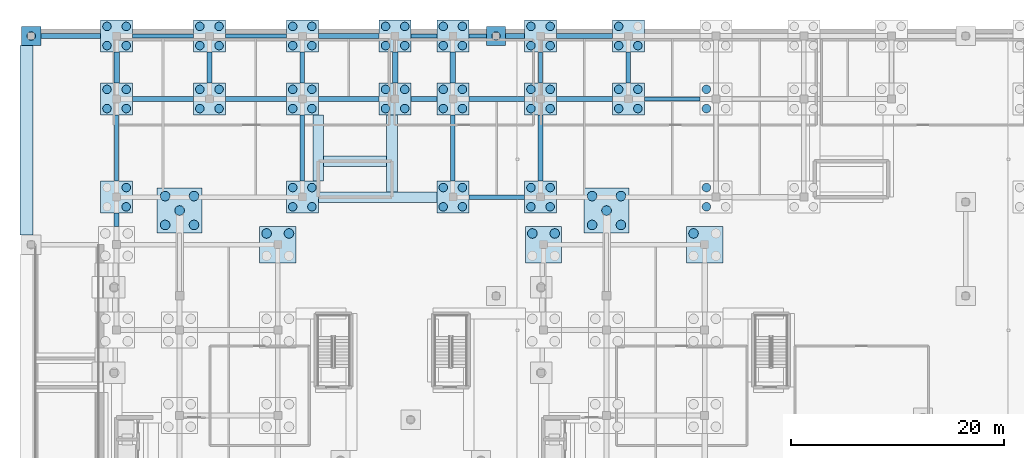
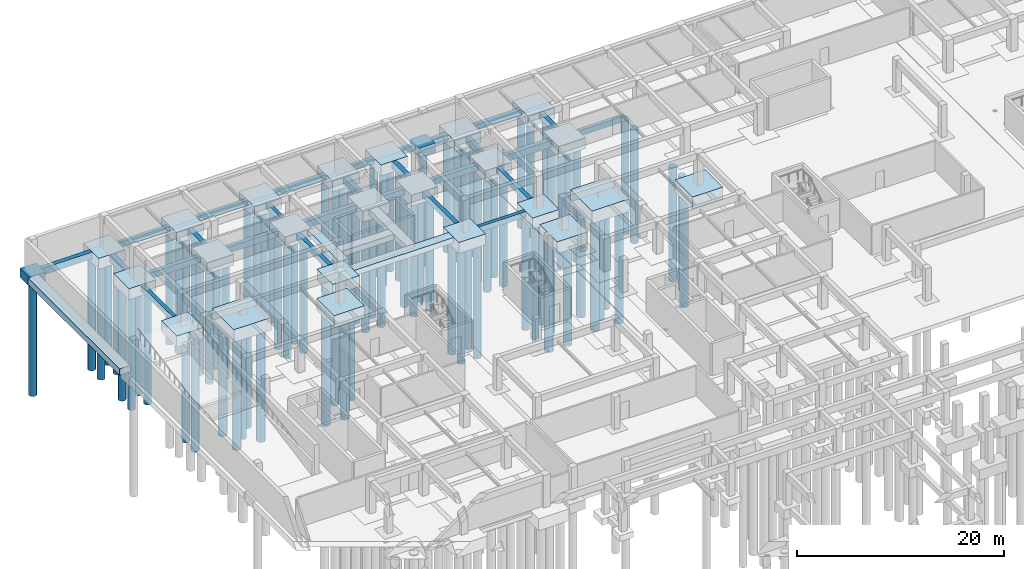
# One storey, part 6 of 35: 90 piles, 58 footings.
"""IFC4 building model written with IfcOpenShell, lengths in metres."""

from ifc_helpers import new_model, si_unit, direction, frame, origin, origin_2d, place, context, subcontext, project, spatial, rectangle, circle, extrude, material, material_profile, profile_set, type_object, element, save


model = new_model("IFC4")

# Units and contexts
model_context = context("Model", 3, precision=1e-05, world=origin(), true_north=direction((0.0, 1.0)))
body_context = subcontext(model_context, "Body", "Model", "MODEL_VIEW")
ifc_project = project(units=[si_unit("LENGTHUNIT", "METRE"), si_unit("AREAUNIT", "SQUARE_METRE"), si_unit("VOLUMEUNIT", "CUBIC_METRE"), si_unit("PLANEANGLEUNIT", "RADIAN"), si_unit("MASSUNIT", "GRAM", prefix="KILO")], contexts=[model_context])

# Site, building, storey
site_placement = place(None, origin())
site = spatial("IfcSite", under=ifc_project, at=site_placement, CompositionType="ELEMENT")
building_placement = place(site_placement, origin())
building = spatial("IfcBuilding", under=site, at=building_placement, Name="Keldmere Railside Commons", CompositionType="ELEMENT")
storey_placement = place(building_placement, frame((0.0, 0.0, -3.840087890625)))
storey = spatial("IfcBuildingStorey", under=building, at=storey_placement, Name="B1", CompositionType="ELEMENT", Elevation=-3.840087890625)

# Piles
ifc_material_1 = material(Name="Concrete H-30 (C30/37)", Category="concrete")
ifc_material_profile_1 = material_profile(ifc_material_1, circle(Radius=0.39990234375, at=origin_2d()), Name="PILE-D800")
ifc_profile_set_1 = profile_set([ifc_material_profile_1], Name="Concrete H-30 (C30/37)")
pile_type_1 = type_object("IfcPileType", Name="Bored Concrete Pile D800", PredefinedType="BORED", material=ifc_profile_set_1)
pile_1_placement = place(storey_placement, frame((0.449951171875, 115.550048828125, -1.0), z_axis=(0.0, 0.0, -1.0), x_axis=(1.0, 0.0, 0.0)))
element("IfcPile", 1, at=pile_1_placement, inside=storey, type_object=pile_type_1, Name="BP-800 PILE-0032", PredefinedType="BORED", context=body_context, shape_type="SweptSolid", body=[
    extrude(circle(Radius=0.39990234375, at=origin_2d()), origin(), (0.0, 0.0, 1.0), 13.659912109375),
])
for number, where, z_axis, x_axis, name in (
    (2, (9.35009765625, 99.550048828125, -1.199951171875), (0.0, 0.0, -1.0), (1.0, 0.0, 0.0), "BP-800 PILE-0067"),
    (3, (9.35009765625, 101.35009765625, -1.199951171875), (0.0, 0.0, -1.0), (1.0, 0.0, 0.0), "BP-800 PILE-0068"),
    (4, (7.550048828125, 108.75, -1.199951171875), (0.0, 0.0, -1.0), (1.0, 0.0, 0.0), "BP-800 PILE-0070"),
    (5, (9.35009765625, 108.75, -1.199951171875), (0.0, 0.0, -1.0), (1.0, 0.0, 0.0), "BP-800 PILE-0071"),
    (6, (9.35009765625, 110.550048828125, -1.199951171875), (0.0, 0.0, -1.0), (1.0, 0.0, 0.0), "BP-800 PILE-0072"),
    (7, (7.550048828125, 110.550048828125, -1.199951171875), (0.0, 0.0, -1.0), (1.0, 0.0, 0.0), "BP-800 PILE-0073"),
    (8, (7.550048828125, 114.64990234375, -1.199951171875), (0.0, 0.0, -1.0), (1.0, 0.0, 0.0), "BP-800 PILE-0074"),
    (9, (9.35009765625, 114.64990234375, -1.199951171875), (0.0, 0.0, -1.0), (1.0, 0.0, 0.0), "BP-800 PILE-0075"),
    (10, (9.35009765625, 116.449951171875, -1.199951171875), (0.0, 0.0, -1.0), (1.0, 0.0, 0.0), "BP-800 PILE-0076"),
    (11, (7.550048828125, 116.449951171875, -1.199951171875), (0.0, 0.0, -1.0), (1.0, 0.0, 0.0), "BP-800 PILE-0077"),
    (12, (16.25, 108.75, -1.199951171875), (0.0, 0.0, -1.0), (1.0, 0.0, 0.0), "BP-800 PILE-0112"),
    (13, (18.050048828125, 108.75, -1.199951171875), (0.0, 0.0, -1.0), (1.0, 0.0, 0.0), "BP-800 PILE-0113"),
    (14, (18.050048828125, 110.550048828125, -1.199951171875), (0.0, 0.0, -1.0), (1.0, 0.0, 0.0), "BP-800 PILE-0114"),
    (15, (16.25, 110.550048828125, -1.199951171875), (0.0, 0.0, -1.0), (1.0, 0.0, 0.0), "BP-800 PILE-0115"),
    (16, (16.25, 114.64990234375, -1.199951171875), (0.0, 0.0, -1.0), (1.0, 0.0, 0.0), "BP-800 PILE-0116"),
    (17, (18.050048828125, 114.64990234375, -1.199951171875), (0.0, 0.0, -1.0), (1.0, 0.0, 0.0), "BP-800 PILE-0117"),
    (18, (18.050048828125, 116.449951171875, -1.199951171875), (0.0, 0.0, -1.0), (1.0, 0.0, 0.0), "BP-800 PILE-0118"),
    (19, (16.25, 116.449951171875, -1.199951171875), (0.0, 0.0, -1.0), (1.0, 0.0, 0.0), "BP-800 PILE-0119"),
    (20, (24.949951171875, 99.550048828125, -1.199951171875), (0.0, 0.0, -1.0), (1.0, 0.0, 0.0), "BP-800 PILE-0154"),
    (21, (26.75, 99.550048828125, -1.199951171875), (0.0, 0.0, -1.0), (1.0, 0.0, 0.0), "BP-800 PILE-0155"),
    (22, (26.75, 101.35009765625, -1.199951171875), (0.0, 0.0, -1.0), (1.0, 0.0, 0.0), "BP-800 PILE-0156"),
    (23, (24.949951171875, 101.35009765625, -1.199951171875), (0.0, 0.0, -1.0), (1.0, 0.0, 0.0), "BP-800 PILE-0157"),
    (24, (24.949951171875, 108.75, -1.199951171875), (0.0, 0.0, -1.0), (1.0, 0.0, 0.0), "BP-800 PILE-0158"),
    (25, (26.75, 108.75, -1.199951171875), (0.0, 0.0, -1.0), (1.0, 0.0, 0.0), "BP-800 PILE-0159"),
    (26, (26.75, 110.550048828125, -1.199951171875), (0.0, 0.0, -1.0), (1.0, 0.0, 0.0), "BP-800 PILE-0160"),
    (27, (24.949951171875, 110.550048828125, -1.199951171875), (0.0, 0.0, -1.0), (1.0, 0.0, 0.0), "BP-800 PILE-0161"),
    (28, (24.949951171875, 114.64990234375, -1.199951171875), (0.0, 0.0, -1.0), (1.0, 0.0, 0.0), "BP-800 PILE-0162"),
    (29, (26.75, 114.64990234375, -1.199951171875), (0.0, 0.0, -1.0), (1.0, 0.0, 0.0), "BP-800 PILE-0163"),
    (30, (26.75, 116.449951171875, -1.199951171875), (0.0, 0.0, -1.0), (1.0, 0.0, 0.0), "BP-800 PILE-0164"),
    (31, (24.949951171875, 116.449951171875, -1.199951171875), (0.0, 0.0, -1.0), (1.0, 0.0, 0.0), "BP-800 PILE-0165"),
    (32, (33.64990234375, 108.75, -1.199951171875), (0.0, 0.0, -1.0), (1.0, 0.0, 0.0), "BP-800 PILE-0181"),
    (33, (35.449951171875, 108.75, -1.199951171875), (0.0, 0.0, -1.0), (1.0, 0.0, 0.0), "BP-800 PILE-0182"),
    (34, (35.449951171875, 110.550048828125, -1.199951171875), (0.0, 0.0, -1.0), (1.0, 0.0, 0.0), "BP-800 PILE-0183"),
    (35, (33.64990234375, 110.550048828125, -1.199951171875), (0.0, 0.0, -1.0), (1.0, 0.0, 0.0), "BP-800 PILE-0184"),
    (36, (33.64990234375, 114.64990234375, -1.199951171875), (0.0, 0.0, -1.0), (1.0, 0.0, 0.0), "BP-800 PILE-0185"),
    (37, (35.449951171875, 114.64990234375, -1.199951171875), (0.0, 0.0, -1.0), (1.0, 0.0, 0.0), "BP-800 PILE-0186"),
    (38, (35.449951171875, 116.449951171875, -1.199951171875), (0.0, 0.0, -1.0), (1.0, 0.0, 0.0), "BP-800 PILE-0187"),
    (39, (33.64990234375, 116.449951171875, -1.199951171875), (0.0, 0.0, -1.0), (1.0, 0.0, 0.0), "BP-800 PILE-0188"),
    (40, (39.050048828125, 99.550048828125, -1.199951171875), (0.0, 0.0, -1.0), (1.0, 0.0, 0.0), "BP-800 PILE-0201"),
    (41, (40.85009765625, 99.550048828125, -1.199951171875), (0.0, 0.0, -1.0), (1.0, 0.0, 0.0), "BP-800 PILE-0202"),
    (42, (40.85009765625, 101.35009765625, -1.199951171875), (0.0, 0.0, -1.0), (1.0, 0.0, 0.0), "BP-800 PILE-0203"),
    (43, (39.050048828125, 101.35009765625, -1.199951171875), (0.0, 0.0, -1.0), (1.0, 0.0, 0.0), "BP-800 PILE-0204"),
    (44, (39.050048828125, 108.75, -1.199951171875), (0.0, 0.0, -1.0), (1.0, 0.0, 0.0), "BP-800 PILE-0205"),
    (45, (40.85009765625, 108.75, -1.199951171875), (0.0, 0.0, -1.0), (1.0, 0.0, 0.0), "BP-800 PILE-0206"),
    (46, (40.85009765625, 110.550048828125, -1.199951171875), (0.0, 0.0, -1.0), (1.0, 0.0, 0.0), "BP-800 PILE-0207"),
    (47, (39.050048828125, 110.550048828125, -1.199951171875), (0.0, 0.0, -1.0), (1.0, 0.0, 0.0), "BP-800 PILE-0208"),
    (48, (39.050048828125, 114.64990234375, -1.199951171875), (0.0, 0.0, -1.0), (1.0, 0.0, 0.0), "BP-800 PILE-0209"),
    (49, (40.85009765625, 114.64990234375, -1.199951171875), (0.0, 0.0, -1.0), (1.0, 0.0, 0.0), "BP-800 PILE-0210"),
    (50, (40.85009765625, 116.449951171875, -1.199951171875), (0.0, 0.0, -1.0), (1.0, 0.0, 0.0), "BP-800 PILE-0211"),
    (51, (39.050048828125, 116.449951171875, -1.199951171875), (0.0, 0.0, -1.0), (1.0, 0.0, 0.0), "BP-800 PILE-0212"),
):
    element("IfcPile", number, at=place(storey_placement, frame(where, z_axis=z_axis, x_axis=x_axis)), inside=storey, type_object=pile_type_1, Name=name, PredefinedType="BORED", context=body_context, shape_type="SweptSolid", body=[
        extrude(circle(Radius=0.39990234375, at=origin_2d()), origin(), (0.0, 0.0, 1.0), 13.4599609375),
    ])
pile_2_placement = place(storey_placement, frame((44.0, 115.550048828125, -1.0), z_axis=(0.0, 0.0, -1.0), x_axis=(1.0, 0.0, 0.0)))
element("IfcPile", 52, at=pile_2_placement, inside=storey, type_object=pile_type_1, Name="BP-800 PILE-0222", PredefinedType="BORED", context=body_context, shape_type="SweptSolid", body=[
    extrude(circle(Radius=0.39990234375, at=origin_2d()), origin(), (0.0, 0.0, 1.0), 13.659912109375),
])
for number, where, z_axis, x_axis, name in (
    (53, (47.27001953125, 99.550048828125, -1.199951171875), (0.0, 0.0, -1.0), (1.0, 0.0, 0.0), "BP-800 PILE-0224"),
    (54, (49.070068359375, 99.550048828125, -1.199951171875), (0.0, 0.0, -1.0), (1.0, 0.0, 0.0), "BP-800 PILE-0225"),
    (55, (49.070068359375, 101.35009765625, -1.199951171875), (0.0, 0.0, -1.0), (1.0, 0.0, 0.0), "BP-800 PILE-0226"),
    (56, (47.27001953125, 101.35009765625, -1.199951171875), (0.0, 0.0, -1.0), (1.0, 0.0, 0.0), "BP-800 PILE-0227"),
    (57, (47.27001953125, 108.75, -1.199951171875), (0.0, 0.0, -1.0), (1.0, 0.0, 0.0), "BP-800 PILE-0228"),
    (58, (49.070068359375, 108.75, -1.199951171875), (0.0, 0.0, -1.0), (1.0, 0.0, 0.0), "BP-800 PILE-0229"),
    (59, (49.070068359375, 110.550048828125, -1.199951171875), (0.0, 0.0, -1.0), (1.0, 0.0, 0.0), "BP-800 PILE-0230"),
    (60, (47.27001953125, 110.550048828125, -1.199951171875), (0.0, 0.0, -1.0), (1.0, 0.0, 0.0), "BP-800 PILE-0231"),
    (61, (47.27001953125, 114.64990234375, -1.199951171875), (0.0, 0.0, -1.0), (1.0, 0.0, 0.0), "BP-800 PILE-0232"),
    (62, (49.070068359375, 114.64990234375, -1.199951171875), (0.0, 0.0, -1.0), (1.0, 0.0, 0.0), "BP-800 PILE-0233"),
    (63, (49.070068359375, 116.449951171875, -1.199951171875), (0.0, 0.0, -1.0), (1.0, 0.0, 0.0), "BP-800 PILE-0234"),
    (64, (47.27001953125, 116.449951171875, -1.199951171875), (0.0, 0.0, -1.0), (1.0, 0.0, 0.0), "BP-800 PILE-0235"),
    (65, (55.489990234375, 108.75, -1.199951171875), (0.0, 0.0, -1.0), (1.0, 0.0, 0.0), "BP-800 PILE-0283"),
    (66, (57.2900390625, 108.75, -1.199951171875), (0.0, 0.0, -1.0), (1.0, 0.0, 0.0), "BP-800 PILE-0284"),
    (67, (57.2900390625, 110.550048828125, -1.199951171875), (0.0, 0.0, -1.0), (1.0, 0.0, 0.0), "BP-800 PILE-0285"),
    (68, (55.489990234375, 110.550048828125, -1.199951171875), (0.0, 0.0, -1.0), (1.0, 0.0, 0.0), "BP-800 PILE-0286"),
    (69, (55.489990234375, 114.64990234375, -1.199951171875), (0.0, 0.0, -1.0), (1.0, 0.0, 0.0), "BP-800 PILE-0287"),
    (70, (57.2900390625, 114.64990234375, -1.199951171875), (0.0, 0.0, -1.0), (1.0, 0.0, 0.0), "BP-800 PILE-0288"),
    (71, (55.489990234375, 116.449951171875, -1.199951171875), (0.0, 0.0, -1.0), (1.0, 0.0, 0.0), "BP-800 PILE-0290"),
    (72, (63.7099609375, 99.550048828125, -1.199951171875), (0.0, 0.0, -1.0), (1.0, 0.0, 0.0), "BP-800 PILE-0328"),
    (73, (63.7099609375, 101.35009765625, -1.199951171875), (0.0, 0.0, -1.0), (1.0, 0.0, 0.0), "BP-800 PILE-0331"),
    (74, (63.7099609375, 108.75, -1.199951171875), (0.0, 0.0, -1.0), (1.0, 0.0, 0.0), "BP-800 PILE-0332"),
    (75, (63.7099609375, 110.550048828125, -1.199951171875), (0.0, 0.0, -1.0), (1.0, 0.0, 0.0), "BP-800 PILE-0335"),
):
    element("IfcPile", number, at=place(storey_placement, frame(where, z_axis=z_axis, x_axis=x_axis)), inside=storey, type_object=pile_type_1, Name=name, PredefinedType="BORED", context=body_context, shape_type="SweptSolid", body=[
        extrude(circle(Radius=0.39990234375, at=origin_2d()), origin(), (0.0, 0.0, 1.0), 13.4599609375),
    ])
ifc_material_profile_2 = material_profile(ifc_material_1, circle(Radius=0.449951171875, at=origin_2d()), Name="PILE-D900")
ifc_profile_set_2 = profile_set([ifc_material_profile_2], Name="Concrete H-30 (C30/37)")
pile_type_2 = type_object("IfcPileType", Name="Bored Concrete Pile D900", PredefinedType="BORED", material=ifc_profile_set_2)
for number, where, z_axis, x_axis, name in (
    (76, (13.0, 97.85009765625, -1.39990234375), (0.0, 0.0, -1.0), (1.0, 0.0, 0.0), "BP-900 PILE-0098"),
    (77, (15.699951171875, 97.85009765625, -1.39990234375), (0.0, 0.0, -1.0), (1.0, 0.0, 0.0), "BP-900 PILE-0099"),
    (78, (15.699951171875, 100.550048828125, -1.39990234375), (0.0, 0.0, -1.0), (1.0, 0.0, 0.0), "BP-900 PILE-0100"),
    (79, (13.0, 100.550048828125, -1.39990234375), (0.0, 0.0, -1.0), (1.0, 0.0, 0.0), "BP-900 PILE-0101"),
    (80, (14.35009765625, 99.199951171875, -1.39990234375), (0.0, 0.0, -1.0), (1.0, 0.0, 0.0), "BP-900 PILE-0102"),
):
    element("IfcPile", number, at=place(storey_placement, frame(where, z_axis=z_axis, x_axis=x_axis)), inside=storey, type_object=pile_type_2, Name=name, PredefinedType="BORED", context=body_context, shape_type="SweptSolid", body=[
        extrude(circle(Radius=0.449951171875, at=origin_2d()), origin(), (0.0, 0.0, 1.0), 13.260009765625),
    ])
for number, where, z_axis, x_axis, name in (
    (81, (24.60009765625, 97.050048828125, -1.2998046875), (0.0, 0.0, -1.0), (1.0, 0.0, 0.0), "BP-900 PILE-0144"),
    (82, (22.5, 97.050048828125, -1.2998046875), (0.0, 0.0, -1.0), (1.0, 0.0, 0.0), "BP-900 PILE-0145"),
    (83, (49.5, 97.050048828125, -1.2998046875), (0.0, 0.0, -1.0), (1.0, 0.0, 0.0), "BP-900 PILE-0253"),
    (84, (47.39990234375, 97.050048828125, -1.2998046875), (0.0, 0.0, -1.0), (1.0, 0.0, 0.0), "BP-900 PILE-0254"),
):
    element("IfcPile", number, at=place(storey_placement, frame(where, z_axis=z_axis, x_axis=x_axis)), inside=storey, type_object=pile_type_2, Name=name, PredefinedType="BORED", context=body_context, shape_type="SweptSolid", body=[
        extrude(circle(Radius=0.449951171875, at=origin_2d()), origin(), (0.0, 0.0, 1.0), 13.360107421875),
    ])
for number, where, z_axis, x_axis, name in (
    (85, (53.0, 97.85009765625, -1.39990234375), (0.0, 0.0, -1.0), (1.0, 0.0, 0.0), "BP-900 PILE-0278"),
    (86, (55.699951171875, 97.85009765625, -1.39990234375), (0.0, 0.0, -1.0), (1.0, 0.0, 0.0), "BP-900 PILE-0279"),
    (87, (55.699951171875, 100.550048828125, -1.39990234375), (0.0, 0.0, -1.0), (1.0, 0.0, 0.0), "BP-900 PILE-0280"),
    (88, (53.0, 100.550048828125, -1.39990234375), (0.0, 0.0, -1.0), (1.0, 0.0, 0.0), "BP-900 PILE-0281"),
    (89, (54.35009765625, 99.199951171875, -1.39990234375), (0.0, 0.0, -1.0), (1.0, 0.0, 0.0), "BP-900 PILE-0282"),
):
    element("IfcPile", number, at=place(storey_placement, frame(where, z_axis=z_axis, x_axis=x_axis)), inside=storey, type_object=pile_type_2, Name=name, PredefinedType="BORED", context=body_context, shape_type="SweptSolid", body=[
        extrude(circle(Radius=0.449951171875, at=origin_2d()), origin(), (0.0, 0.0, 1.0), 13.260009765625),
    ])
pile_3_placement = place(storey_placement, frame((62.5, 97.050048828125, -1.2998046875), z_axis=(0.0, 0.0, -1.0), x_axis=(1.0, 0.0, 0.0)))
element("IfcPile", 90, at=pile_3_placement, inside=storey, type_object=pile_type_2, Name="BP-900 PILE-0319", PredefinedType="BORED", context=body_context, shape_type="SweptSolid", body=[
    extrude(circle(Radius=0.449951171875, at=origin_2d()), origin(), (0.0, 0.0, 1.0), 13.360107421875),
])

# Footings
ifc_material_2 = material(Name="Concrete H-40 (C40/50)", Category="concrete")
footing_type_1 = type_object("IfcFootingType", Name="Five-Pile Transfer Cap 4200x4200x1500", PredefinedType="PILE_CAP", material=ifc_material_2)
for number, where, z_axis, x_axis, name in (
    (91, (14.35009765625, 99.199951171875, -1.5), (0.0, 0.0, 1.0), (1.0, 0.0, 0.0), "PC-07 FTG-033"),
    (92, (54.35009765625, 99.199951171875, -1.5), (0.0, 0.0, 1.0), (1.0, 0.0, 0.0), "PC-07 FTG-114"),
):
    element("IfcFooting", number, at=place(storey_placement, frame(where, z_axis=z_axis, x_axis=x_axis)), inside=storey, type_object=footing_type_1, Name=name, PredefinedType="PILE_CAP", context=body_context, shape_type="SweptSolid", body=[
        extrude(rectangle(XDim=4.199951171875, YDim=4.199951171875, at=origin_2d()), origin(), (0.0, 0.0, 1.0), 1.5),
    ])
footing_type_2 = type_object("IfcFootingType", Name="Four-Pile Cap 3000x3000x1300", PredefinedType="PILE_CAP", material=ifc_material_2)
for number, where, z_axis, x_axis, name in (
    (93, (8.449951171875, 100.449951171875, -1.2998046875), (0.0, 0.0, 1.0), (1.0, 0.0, 0.0), "PC-04 FTG-025"),
    (94, (8.449951171875, 109.64990234375, -1.2998046875), (0.0, 0.0, 1.0), (1.0, 0.0, 0.0), "PC-04 FTG-026"),
    (95, (8.449951171875, 115.550048828125, -1.2998046875), (0.0, 0.0, 1.0), (1.0, 0.0, 0.0), "PC-04 FTG-027"),
    (96, (17.14990234375, 109.64990234375, -1.2998046875), (0.0, 0.0, 1.0), (1.0, 0.0, 0.0), "PC-04 FTG-041"),
    (97, (17.14990234375, 115.550048828125, -1.2998046875), (0.0, 0.0, 1.0), (1.0, 0.0, 0.0), "PC-04 FTG-042"),
    (98, (25.85009765625, 100.449951171875, -1.2998046875), (0.0, 0.0, 1.0), (1.0, 0.0, 0.0), "PC-04 FTG-054"),
    (99, (25.85009765625, 109.64990234375, -1.2998046875), (0.0, 0.0, 1.0), (1.0, 0.0, 0.0), "PC-04 FTG-055"),
    (100, (25.85009765625, 115.550048828125, -1.2998046875), (0.0, 0.0, 1.0), (1.0, 0.0, 0.0), "PC-04 FTG-056"),
    (101, (34.550048828125, 109.64990234375, -1.2998046875), (0.0, 0.0, 1.0), (1.0, 0.0, 0.0), "PC-04 FTG-069"),
    (102, (34.550048828125, 115.550048828125, -1.2998046875), (0.0, 0.0, 1.0), (1.0, 0.0, 0.0), "PC-04 FTG-070"),
    (103, (39.949951171875, 100.449951171875, -1.2998046875), (0.0, 0.0, 1.0), (1.0, 0.0, 0.0), "PC-04 FTG-078"),
    (104, (39.949951171875, 109.64990234375, -1.2998046875), (0.0, 0.0, 1.0), (1.0, 0.0, 0.0), "PC-04 FTG-079"),
    (105, (39.949951171875, 115.550048828125, -1.2998046875), (0.0, 0.0, 1.0), (1.0, 0.0, 0.0), "PC-04 FTG-080"),
    (106, (48.169921875, 100.449951171875, -1.2998046875), (0.0, 0.0, 1.0), (1.0, 0.0, 0.0), "PC-04 FTG-094"),
    (107, (48.169921875, 109.64990234375, -1.2998046875), (0.0, 0.0, 1.0), (1.0, 0.0, 0.0), "PC-04 FTG-095"),
    (108, (48.169921875, 115.550048828125, -1.2998046875), (0.0, 0.0, 1.0), (1.0, 0.0, 0.0), "PC-04 FTG-096"),
    (109, (56.389892578125, 109.64990234375, -1.2998046875), (0.0, 0.0, 1.0), (1.0, 0.0, 0.0), "PC-04 FTG-115"),
    (110, (56.389892578125, 115.550048828125, -1.2998046875), (0.0, 0.0, 1.0), (1.0, 0.0, 0.0), "PC-04 FTG-116"),
):
    element("IfcFooting", number, at=place(storey_placement, frame(where, z_axis=z_axis, x_axis=x_axis)), inside=storey, type_object=footing_type_2, Name=name, PredefinedType="PILE_CAP", context=body_context, shape_type="SweptSolid", body=[
        extrude(rectangle(XDim=3.0, YDim=3.0, at=origin_2d()), origin(), (0.0, 0.0, 1.0), 1.300048828125),
    ])
footing_type_3 = type_object("IfcFootingType", Name="Four-Pile Heavy Cap 3400x3400x1400", PredefinedType="PILE_CAP", material=ifc_material_2)
for number, where, z_axis, x_axis, name in (
    (111, (23.550048828125, 96.0, -1.39990234375), (0.0, 0.0, 1.0), (1.0, 0.0, 0.0), "PC-05 FTG-049"),
    (112, (48.449951171875, 96.0, -1.39990234375), (0.0, 0.0, 1.0), (1.0, 0.0, 0.0), "PC-05 FTG-103"),
    (113, (63.550048828125, 96.0, -1.39990234375), (0.0, 0.0, 1.0), (1.0, 0.0, 0.0), "PC-05 FTG-127"),
):
    element("IfcFooting", number, at=place(storey_placement, frame(where, z_axis=z_axis, x_axis=x_axis)), inside=storey, type_object=footing_type_3, Name=name, PredefinedType="PILE_CAP", context=body_context, shape_type="SweptSolid", body=[
        extrude(rectangle(XDim=3.39990234375, YDim=3.39990234375, at=origin_2d()), origin(), (0.0, 0.0, 1.0), 1.39990234375),
    ])
footing_type_4 = type_object("IfcFootingType", Name="Perimeter Ground Tie Beam 400x650", PredefinedType="FOOTING_BEAM", material=ifc_material_2)
footing_1_placement = place(storey_placement, frame((8.449951171875, 105.050048828125, -0.64990234375), z_axis=(0.0, 0.0, 1.0), x_axis=(0.0, 1.0, 0.0)))
element("IfcFooting", 114, at=footing_1_placement, inside=storey, type_object=footing_type_4, Name="GB-03 GB-020", PredefinedType="FOOTING_BEAM", context=body_context, shape_type="SweptSolid", body=[
    extrude(rectangle(XDim=6.199951171875, YDim=0.39990234375, at=origin_2d()), origin(), (0.0, 0.0, 1.0), 0.64990234375),
])
for number, where, z_axis, x_axis, name in (
    (115, (12.800048828125, 115.550048828125, -0.64990234375), (0.0, 0.0, 1.0), (1.0, 0.0, 0.0), "GB-03 GB-023"),
    (116, (21.5, 115.550048828125, -0.64990234375), (0.0, 0.0, 1.0), (1.0, 0.0, 0.0), "GB-03 GB-044"),
):
    element("IfcFooting", number, at=place(storey_placement, frame(where, z_axis=z_axis, x_axis=x_axis)), inside=storey, type_object=footing_type_4, Name=name, PredefinedType="FOOTING_BEAM", context=body_context, shape_type="SweptSolid", body=[
        extrude(rectangle(XDim=5.699951171875, YDim=0.39990234375, at=origin_2d()), origin(), (0.0, 0.0, 1.0), 0.64990234375),
    ])
footing_2_placement = place(storey_placement, frame((25.85009765625, 112.60009765625, -0.64990234375), z_axis=(0.0, 0.0, 1.0), x_axis=(0.0, 1.0, 0.0)))
element("IfcFooting", 117, at=footing_2_placement, inside=storey, type_object=footing_type_4, Name="GB-03 GB-059", PredefinedType="FOOTING_BEAM", context=body_context, shape_type="SweptSolid", body=[
    extrude(rectangle(XDim=2.89990234375, YDim=0.39990234375, at=origin_2d()), origin(), (0.0, 0.0, 1.0), 0.64990234375),
])
footing_3_placement = place(storey_placement, frame((37.25, 115.550048828125, -0.64990234375), z_axis=(0.0, 0.0, 1.0), x_axis=(1.0, 0.0, 0.0)))
element("IfcFooting", 118, at=footing_3_placement, inside=storey, type_object=footing_type_4, Name="GB-03 GB-074", PredefinedType="FOOTING_BEAM", context=body_context, shape_type="SweptSolid", body=[
    extrude(rectangle(XDim=2.39990234375, YDim=0.39990234375, at=origin_2d()), origin(), (0.0, 0.0, 1.0), 0.64990234375),
])
footing_4_placement = place(storey_placement, frame((44.06005859375, 100.449951171875, -0.64990234375), z_axis=(0.0, 0.0, 1.0), x_axis=(1.0, 0.0, 0.0)))
element("IfcFooting", 119, at=footing_4_placement, inside=storey, type_object=footing_type_4, Name="GB-03 GB-080", PredefinedType="FOOTING_BEAM", context=body_context, shape_type="SweptSolid", body=[
    extrude(rectangle(XDim=5.219970703125, YDim=0.39990234375, at=origin_2d()), origin(), (0.0, 0.0, 1.0), 0.64990234375),
])
footing_5_placement = place(storey_placement, frame((42.27490234375, 115.550048828125, -0.64990234375), z_axis=(0.0, 0.0, 1.0), x_axis=(1.0, 0.0, 0.0)))
element("IfcFooting", 120, at=footing_5_placement, inside=storey, type_object=footing_type_4, Name="GB-03 GB-083", PredefinedType="FOOTING_BEAM", context=body_context, shape_type="SweptSolid", body=[
    extrude(rectangle(XDim=1.64990234375, YDim=0.39990234375, at=origin_2d()), origin(), (0.0, 0.0, 1.0), 0.64990234375),
])
footing_6_placement = place(storey_placement, frame((48.169921875, 112.60009765625, -0.64990234375), z_axis=(0.0, 0.0, 1.0), x_axis=(0.0, 1.0, 0.0)))
element("IfcFooting", 121, at=footing_6_placement, inside=storey, type_object=footing_type_4, Name="GB-03 GB-092", PredefinedType="FOOTING_BEAM", context=body_context, shape_type="SweptSolid", body=[
    extrude(rectangle(XDim=2.89990234375, YDim=0.39990234375, at=origin_2d()), origin(), (0.0, 0.0, 1.0), 0.64990234375),
])
footing_7_placement = place(storey_placement, frame((60.5, 109.64990234375, -0.64990234375), z_axis=(0.0, 0.0, 1.0), x_axis=(1.0, 0.0, 0.0)))
element("IfcFooting", 122, at=footing_7_placement, inside=storey, type_object=footing_type_4, Name="GB-03 GB-116", PredefinedType="FOOTING_BEAM", context=body_context, shape_type="SweptSolid", body=[
    extrude(rectangle(XDim=5.219970703125, YDim=0.39990234375, at=origin_2d()), origin(), (0.0, 0.0, 1.0), 0.64990234375),
])
footing_type_5 = type_object("IfcFootingType", Name="Primary Ground Tie Beam 500x800", PredefinedType="FOOTING_BEAM", material=ifc_material_2)
footing_8_placement = place(storey_placement, frame((4.14990234375, 115.550048828125, -0.7998046875), z_axis=(0.0, 0.0, 1.0), x_axis=(1.0, 0.0, 0.0)))
element("IfcFooting", 123, at=footing_8_placement, inside=storey, type_object=footing_type_5, Name="GB-01 GB-003", PredefinedType="FOOTING_BEAM", context=body_context, shape_type="SweptSolid", body=[
    extrude(rectangle(XDim=5.60009765625, YDim=0.5, at=origin_2d()), origin(), (0.0, 0.0, 1.0), 0.800048828125),
])
for number, where, z_axis, x_axis, name in (
    (124, (8.449951171875, 112.60009765625, -0.7998046875), (0.0, 0.0, 1.0), (0.0, 1.0, 0.0), "GB-01 GB-021"),
    (125, (17.14990234375, 112.60009765625, -0.7998046875), (0.0, 0.0, 1.0), (0.0, 1.0, 0.0), "GB-01 GB-042"),
):
    element("IfcFooting", number, at=place(storey_placement, frame(where, z_axis=z_axis, x_axis=x_axis)), inside=storey, type_object=footing_type_5, Name=name, PredefinedType="FOOTING_BEAM", context=body_context, shape_type="SweptSolid", body=[
        extrude(rectangle(XDim=2.89990234375, YDim=0.5, at=origin_2d()), origin(), (0.0, 0.0, 1.0), 0.800048828125),
    ])
footing_9_placement = place(storey_placement, frame((30.199951171875, 109.64990234375, -0.7998046875), z_axis=(0.0, 0.0, 1.0), x_axis=(1.0, 0.0, 0.0)))
element("IfcFooting", 126, at=footing_9_placement, inside=storey, type_object=footing_type_5, Name="GB-01 GB-060", PredefinedType="FOOTING_BEAM", context=body_context, shape_type="SweptSolid", body=[
    extrude(rectangle(XDim=5.699951171875, YDim=0.5, at=origin_2d()), origin(), (0.0, 0.0, 1.0), 0.800048828125),
])
for number, where, z_axis, x_axis, name in (
    (127, (34.550048828125, 112.60009765625, -0.7998046875), (0.0, 0.0, 1.0), (0.0, 1.0, 0.0), "GB-01 GB-072"),
    (128, (39.949951171875, 112.60009765625, -0.7998046875), (0.0, 0.0, 1.0), (0.0, 1.0, 0.0), "GB-01 GB-081"),
):
    element("IfcFooting", number, at=place(storey_placement, frame(where, z_axis=z_axis, x_axis=x_axis)), inside=storey, type_object=footing_type_5, Name=name, PredefinedType="FOOTING_BEAM", context=body_context, shape_type="SweptSolid", body=[
        extrude(rectangle(XDim=2.89990234375, YDim=0.5, at=origin_2d()), origin(), (0.0, 0.0, 1.0), 0.800048828125),
    ])
footing_10_placement = place(storey_placement, frame((45.784912109375, 115.550048828125, -0.7998046875), z_axis=(0.0, 0.0, 1.0), x_axis=(1.0, 0.0, 0.0)))
element("IfcFooting", 129, at=footing_10_placement, inside=storey, type_object=footing_type_5, Name="GB-01 GB-090", PredefinedType="FOOTING_BEAM", context=body_context, shape_type="SweptSolid", body=[
    extrude(rectangle(XDim=1.77001953125, YDim=0.5, at=origin_2d()), origin(), (0.0, 0.0, 1.0), 0.800048828125),
])
footing_11_placement = place(storey_placement, frame((52.280029296875, 109.64990234375, -0.7998046875), z_axis=(0.0, 0.0, 1.0), x_axis=(1.0, 0.0, 0.0)))
element("IfcFooting", 130, at=footing_11_placement, inside=storey, type_object=footing_type_5, Name="GB-01 GB-093", PredefinedType="FOOTING_BEAM", context=body_context, shape_type="SweptSolid", body=[
    extrude(rectangle(XDim=5.219970703125, YDim=0.5, at=origin_2d()), origin(), (0.0, 0.0, 1.0), 0.800048828125),
])
footing_type_6 = type_object("IfcFootingType", Name="Ramp Wall Strip Footing 1000x650", PredefinedType="STRIP_FOOTING", material=ifc_material_2)
footing_12_placement = place(storey_placement, frame((34.25, 104.550048828125, -0.64990234375), z_axis=(0.0, 0.0, 1.0), x_axis=(0.0, 1.0, 0.0)))
element("IfcFooting", 131, at=footing_12_placement, inside=storey, type_object=footing_type_6, Name="SF-02 WSF-052", PredefinedType="STRIP_FOOTING", context=body_context, shape_type="SweptSolid", body=[
    extrude(rectangle(XDim=7.199951171875, YDim=1.0, at=origin_2d()), origin(), (0.0, 0.0, 1.0), 0.64990234375),
])
footing_13_placement = place(storey_placement, frame((30.800048828125, 103.820068359375, -0.64990234375), z_axis=(0.0, 0.0, 1.0), x_axis=(1.0, 0.0, 0.0)))
element("IfcFooting", 132, at=footing_13_placement, inside=storey, type_object=footing_type_6, Name="SF-02 WSF-053", PredefinedType="STRIP_FOOTING", context=body_context, shape_type="SweptSolid", body=[
    extrude(rectangle(XDim=5.89990234375, YDim=1.0, at=origin_2d()), origin(), (0.0, 0.0, 1.0), 0.64990234375),
])
footing_14_placement = place(storey_placement, frame((32.89990234375, 100.449951171875, -0.64990234375), z_axis=(0.0, 0.0, 1.0), x_axis=(1.0, 0.0, 0.0)))
element("IfcFooting", 133, at=footing_14_placement, inside=storey, type_object=footing_type_6, Name="SF-02 WSF-054", PredefinedType="STRIP_FOOTING", context=body_context, shape_type="SweptSolid", body=[
    extrude(rectangle(XDim=11.10009765625, YDim=1.0, at=origin_2d()), origin(), (0.0, 0.0, 1.0), 0.64990234375),
])
footing_15_placement = place(storey_placement, frame((27.35009765625, 105.050048828125, -0.64990234375), z_axis=(0.0, 0.0, 1.0), x_axis=(0.0, 1.0, 0.0)))
element("IfcFooting", 134, at=footing_15_placement, inside=storey, type_object=footing_type_6, Name="SF-02 WSF-055", PredefinedType="STRIP_FOOTING", context=body_context, shape_type="SweptSolid", body=[
    extrude(rectangle(XDim=6.199951171875, YDim=1.0, at=origin_2d()), origin(), (0.0, 0.0, 1.0), 0.64990234375),
])
footing_type_7 = type_object("IfcFootingType", Name="Retaining Wall Strip Footing 1200x750", PredefinedType="STRIP_FOOTING", material=ifc_material_2)
footing_16_placement = place(storey_placement, frame((0.0, 105.77490234375, -0.75), z_axis=(0.0, 0.0, 1.0), x_axis=(0.0, 1.0, 0.0)))
element("IfcFooting", 135, at=footing_16_placement, inside=storey, type_object=footing_type_7, Name="SF-01 WSF-004", PredefinedType="STRIP_FOOTING", context=body_context, shape_type="SweptSolid", body=[
    extrude(rectangle(XDim=17.75, YDim=1.199951171875, at=origin_2d()), origin(), (0.0, 0.0, 1.0), 0.75),
])
footing_type_8 = type_object("IfcFootingType", Name="Secondary Ground Tie Beam 450x700", PredefinedType="FOOTING_BEAM", material=ifc_material_2)
footing_17_placement = place(storey_placement, frame((8.449951171875, 98.324951171875, -0.69970703125), z_axis=(0.0, 0.0, 1.0), x_axis=(0.0, 1.0, 0.0)))
element("IfcFooting", 136, at=footing_17_placement, inside=storey, type_object=footing_type_8, Name="GB-02 GB-019", PredefinedType="FOOTING_BEAM", context=body_context, shape_type="SweptSolid", body=[
    extrude(rectangle(XDim=1.25, YDim=0.449951171875, at=origin_2d()), origin(), (0.0, 0.0, 1.0), 0.699951171875),
])
for number, where, z_axis, x_axis, name in (
    (137, (12.800048828125, 109.64990234375, -0.69970703125), (0.0, 0.0, 1.0), (1.0, 0.0, 0.0), "GB-02 GB-022"),
    (138, (21.5, 109.64990234375, -0.69970703125), (0.0, 0.0, 1.0), (1.0, 0.0, 0.0), "GB-02 GB-043"),
):
    element("IfcFooting", number, at=place(storey_placement, frame(where, z_axis=z_axis, x_axis=x_axis)), inside=storey, type_object=footing_type_8, Name=name, PredefinedType="FOOTING_BEAM", context=body_context, shape_type="SweptSolid", body=[
        extrude(rectangle(XDim=5.699951171875, YDim=0.449951171875, at=origin_2d()), origin(), (0.0, 0.0, 1.0), 0.699951171875),
    ])
footing_18_placement = place(storey_placement, frame((25.85009765625, 105.050048828125, -0.69970703125), z_axis=(0.0, 0.0, 1.0), x_axis=(0.0, 1.0, 0.0)))
element("IfcFooting", 139, at=footing_18_placement, inside=storey, type_object=footing_type_8, Name="GB-02 GB-058", PredefinedType="FOOTING_BEAM", context=body_context, shape_type="SweptSolid", body=[
    extrude(rectangle(XDim=6.199951171875, YDim=0.449951171875, at=origin_2d()), origin(), (0.0, 0.0, 1.0), 0.699951171875),
])
footing_19_placement = place(storey_placement, frame((30.199951171875, 115.550048828125, -0.69970703125), z_axis=(0.0, 0.0, 1.0), x_axis=(1.0, 0.0, 0.0)))
element("IfcFooting", 140, at=footing_19_placement, inside=storey, type_object=footing_type_8, Name="GB-02 GB-061", PredefinedType="FOOTING_BEAM", context=body_context, shape_type="SweptSolid", body=[
    extrude(rectangle(XDim=5.699951171875, YDim=0.449951171875, at=origin_2d()), origin(), (0.0, 0.0, 1.0), 0.699951171875),
])
footing_20_placement = place(storey_placement, frame((37.25, 109.64990234375, -0.69970703125), z_axis=(0.0, 0.0, 1.0), x_axis=(1.0, 0.0, 0.0)))
element("IfcFooting", 141, at=footing_20_placement, inside=storey, type_object=footing_type_8, Name="GB-02 GB-073", PredefinedType="FOOTING_BEAM", context=body_context, shape_type="SweptSolid", body=[
    extrude(rectangle(XDim=2.39990234375, YDim=0.449951171875, at=origin_2d()), origin(), (0.0, 0.0, 1.0), 0.699951171875),
])
footing_21_placement = place(storey_placement, frame((39.949951171875, 105.050048828125, -0.69970703125), z_axis=(0.0, 0.0, 1.0), x_axis=(0.0, 1.0, 0.0)))
element("IfcFooting", 142, at=footing_21_placement, inside=storey, type_object=footing_type_8, Name="GB-02 GB-079", PredefinedType="FOOTING_BEAM", context=body_context, shape_type="SweptSolid", body=[
    extrude(rectangle(XDim=6.199951171875, YDim=0.449951171875, at=origin_2d()), origin(), (0.0, 0.0, 1.0), 0.699951171875),
])
footing_22_placement = place(storey_placement, frame((44.06005859375, 109.64990234375, -0.69970703125), z_axis=(0.0, 0.0, 1.0), x_axis=(1.0, 0.0, 0.0)))
element("IfcFooting", 143, at=footing_22_placement, inside=storey, type_object=footing_type_8, Name="GB-02 GB-082", PredefinedType="FOOTING_BEAM", context=body_context, shape_type="SweptSolid", body=[
    extrude(rectangle(XDim=5.219970703125, YDim=0.449951171875, at=origin_2d()), origin(), (0.0, 0.0, 1.0), 0.699951171875),
])
footing_23_placement = place(storey_placement, frame((48.169921875, 105.050048828125, -0.69970703125), z_axis=(0.0, 0.0, 1.0), x_axis=(0.0, 1.0, 0.0)))
element("IfcFooting", 144, at=footing_23_placement, inside=storey, type_object=footing_type_8, Name="GB-02 GB-091", PredefinedType="FOOTING_BEAM", context=body_context, shape_type="SweptSolid", body=[
    extrude(rectangle(XDim=6.199951171875, YDim=0.449951171875, at=origin_2d()), origin(), (0.0, 0.0, 1.0), 0.699951171875),
])
footing_24_placement = place(storey_placement, frame((52.280029296875, 115.550048828125, -0.69970703125), z_axis=(0.0, 0.0, 1.0), x_axis=(1.0, 0.0, 0.0)))
element("IfcFooting", 145, at=footing_24_placement, inside=storey, type_object=footing_type_8, Name="GB-02 GB-094", PredefinedType="FOOTING_BEAM", context=body_context, shape_type="SweptSolid", body=[
    extrude(rectangle(XDim=5.219970703125, YDim=0.449951171875, at=origin_2d()), origin(), (0.0, 0.0, 1.0), 0.699951171875),
])
footing_25_placement = place(storey_placement, frame((56.389892578125, 112.60009765625, -0.69970703125), z_axis=(0.0, 0.0, 1.0), x_axis=(0.0, 1.0, 0.0)))
element("IfcFooting", 146, at=footing_25_placement, inside=storey, type_object=footing_type_8, Name="GB-02 GB-115", PredefinedType="FOOTING_BEAM", context=body_context, shape_type="SweptSolid", body=[
    extrude(rectangle(XDim=2.89990234375, YDim=0.449951171875, at=origin_2d()), origin(), (0.0, 0.0, 1.0), 0.699951171875),
])
footing_type_9 = type_object("IfcFootingType", Name="Single-Pile Cap 1800x1800x1100", PredefinedType="PILE_CAP", material=ifc_material_2)
for number, where, z_axis, x_axis, name in (
    (147, (0.449951171875, 115.550048828125, -1.099853515625), (0.0, 0.0, 1.0), (1.0, 0.0, 0.0), "PC-01 FTG-008"),
    (148, (44.0, 115.550048828125, -1.099853515625), (0.0, 0.0, 1.0), (1.0, 0.0, 0.0), "PC-01 FTG-092"),
):
    element("IfcFooting", number, at=place(storey_placement, frame(where, z_axis=z_axis, x_axis=x_axis)), inside=storey, type_object=footing_type_9, Name=name, PredefinedType="PILE_CAP", context=body_context, shape_type="SweptSolid", body=[
        extrude(rectangle(XDim=1.800048828125, YDim=1.800048828125, at=origin_2d()), origin(), (0.0, 0.0, 1.0), 1.10009765625),
    ])

save(model, "model.ifc")
